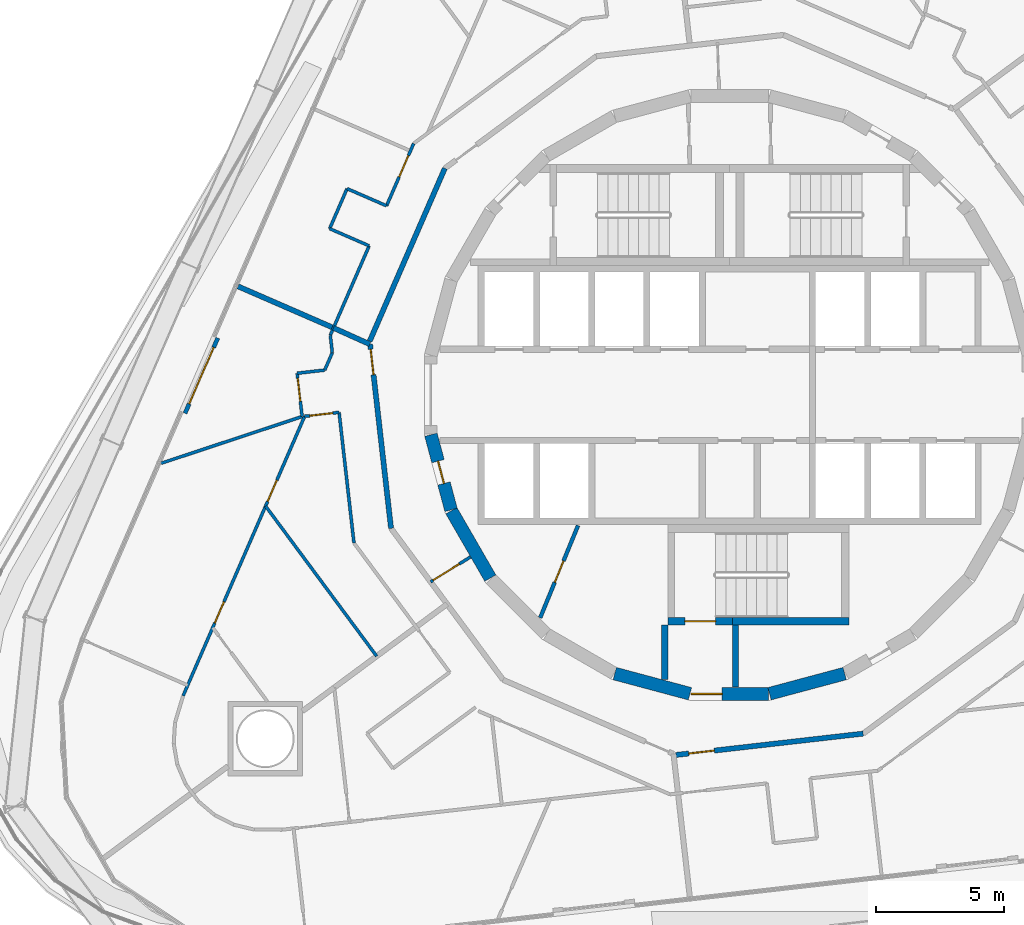
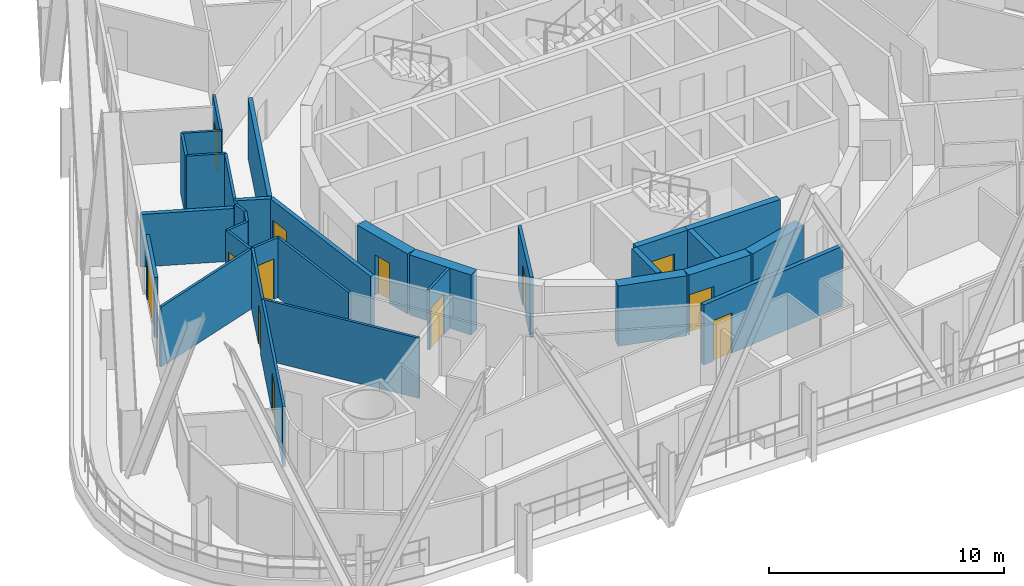
# One storey, part 17 of 32: 31 walls, 13 doors, 13 openings.
"""IFC4 building model written with IfcOpenShell, lengths in metres."""

from ifc_helpers import new_model, si_unit, direction, frame, frame_2d, origin, place, context, subcontext, project, spatial, rectangle, extrude, material, layer, layer_set, type_object, element, fill, save


model = new_model("IFC4")

# Units and contexts
model_context = context("Model", 3, precision=1e-05, world=origin(), true_north=direction((0.0, 1.0)))
body_context = subcontext(model_context, "Body", "Model", "MODEL_VIEW")
ifc_project = project(units=[si_unit("LENGTHUNIT", "METRE"), si_unit("AREAUNIT", "SQUARE_METRE"), si_unit("VOLUMEUNIT", "CUBIC_METRE"), si_unit("PLANEANGLEUNIT", "RADIAN"), si_unit("MASSUNIT", "GRAM", prefix="KILO")], contexts=[model_context])

# Site, building, storey
site_placement = place(None, origin())
site = spatial("IfcSite", under=ifc_project, at=site_placement, CompositionType="ELEMENT")
building_placement = place(site_placement, origin())
building = spatial("IfcBuilding", under=site, at=building_placement, Name="Spindle Arch Residences", CompositionType="ELEMENT")
storey_placement = place(building_placement, frame((0.0, 0.0, 76.699951171875)))
storey = spatial("IfcBuildingStorey", under=building, at=storey_placement, Name="L17", CompositionType="ELEMENT", Elevation=76.699951171875)

# Wall
ifc_material_1 = material(Name="Concrete C50/60", Category="concrete")
ifc_layer_1 = layer(ifc_material_1, 0.5)
ifc_layer_set_1 = layer_set([ifc_layer_1], Name="Core outline wall 500")
wall_type_1 = type_object("IfcWallType", Name="Core outline wall 500", PredefinedType="SHEAR", material=ifc_layer_set_1)
wall_1_placement = place(storey_placement, frame((1.5498046875, -11.642822265625, 0.0), z_axis=(0.0, 0.0, 1.0), x_axis=(0.965948410781, 0.258734743916, 0.0)))
element("IfcWall", 1, at=wall_1_placement, inside=storey, type_object=wall_type_1, Name="Core outline wall 1", PredefinedType="SHEAR", context=body_context, shape_type="SweptSolid", body=[
    extrude(rectangle(XDim=3.03271484375, YDim=0.5, at=frame_2d((1.516357421875, 0.0))), origin(), (0.0, 0.0, 1.0), 3.1201171875),
])

# Wall, opening, door
wall_2_placement = place(storey_placement, frame((-11.642822265625, -1.5498046875, 0.0), z_axis=(0.0, 0.0, 1.0), x_axis=(0.258734743916, -0.965948410781, 0.0)))
wall_2 = element("IfcWall", 2, at=wall_2_placement, inside=storey, type_object=wall_type_1, Name="Core outline wall 19", PredefinedType="SHEAR", context=body_context, shape_type="SweptSolid", body=[
    extrude(rectangle(XDim=3.03271484375, YDim=0.5, at=frame_2d((1.516357421875, 0.0))), origin(), (0.0, 0.0, 1.0), 3.1201171875),
])
opening_1_placement = place(wall_2_placement, frame((1.06640625, 0.0, 0.0)))
opening_1 = element("IfcOpeningElement", 3, at=opening_1_placement, cuts=wall_2, Name="Opening R2A0-WD10", PredefinedType="OPENING", context=body_context, shape_type="SweptSolid", body=[
    extrude(rectangle(XDim=0.89990234375, YDim=2.10009765625, at=frame_2d((0.449951171875, 1.050048828125))), frame((0.0, 0.260009765625, 0.0), z_axis=(0.0, -1.0, 0.0), x_axis=(1.0, 0.0, 0.0)), (0.0, 0.0, 1.0), 0.52001953125),
])
ifc_material_2 = material(Name="Steel, fire-resisting door", Category="steel")
door_type_1 = type_object("IfcDoorType", Name="Service room door 900x2100", OperationType="SINGLE_SWING_LEFT", PredefinedType="DOOR", material=ifc_material_2)
door_1_placement = place(opening_1_placement, origin())
door_1 = element("IfcDoor", 4, at=door_1_placement, inside=storey, type_object=door_type_1, Name="Service room door R2A0-WD10", OperationType="SINGLE_SWING_LEFT", OverallHeight=2.10009765625, OverallWidth=0.89990234375, PredefinedType="DOOR", context=body_context, shape_type="SweptSolid", body=[
    extrude(rectangle(XDim=0.89990234375, YDim=2.10009765625, at=frame_2d((0.449951171875, 1.050048828125))), frame((0.0, 0.02490234375, 0.0), z_axis=(0.0, -1.0, 0.0), x_axis=(1.0, 0.0, 0.0)), (0.0, 0.0, 1.0), 0.050048828125),
])
fill(opening_1, door_1)

# Walls
for number, where, z_axis, x_axis, name in (
    (5, (-10.84521484375, -4.510498046875, 0.0), (0.0, 0.0, 1.0), (0.500087131594, -0.865975092491, 0.0), "Core outline wall 20"),
    (6, (-4.479248046875, -10.858154296875, 0.0), (0.0, 0.0, 1.0), (0.965948410781, -0.258734743916, 0.0), "Core outline wall 23"),
):
    element("IfcWall", number, at=place(storey_placement, frame(where, z_axis=z_axis, x_axis=x_axis)), inside=storey, type_object=wall_type_1, Name=name, PredefinedType="SHEAR", context=body_context, shape_type="SweptSolid", body=[
        extrude(rectangle(XDim=3.03271484375, YDim=0.5, at=frame_2d((1.516357421875, 0.0))), origin(), (0.0, 0.0, 1.0), 3.1201171875),
    ])

# Wall, opening, door
wall_3_placement = place(storey_placement, frame((-1.516357421875, -11.647216796875, 0.0), z_axis=(0.0, 0.0, 1.0), x_axis=(1.0, 0.0, 0.0)))
wall_3 = element("IfcWall", 7, at=wall_3_placement, inside=storey, type_object=wall_type_1, Name="Core outline wall 24", PredefinedType="SHEAR", context=body_context, shape_type="SweptSolid", body=[
    extrude(rectangle(XDim=3.03271484375, YDim=0.5, at=frame_2d((1.516357421875, 0.0))), origin(), (0.0, 0.0, 1.0), 3.1201171875),
])
opening_2_placement = place(wall_3_placement, frame((0.016357421875, 0.0, 0.0)))
opening_2 = element("IfcOpeningElement", 8, at=opening_2_placement, cuts=wall_3, Name="Opening R2A0-AD03", PredefinedType="OPENING", context=body_context, shape_type="SweptSolid", body=[
    extrude(rectangle(XDim=1.199951171875, YDim=2.10009765625, at=frame_2d((0.60009765625, 1.050048828125))), frame((0.0, 0.260009765625, 0.0), z_axis=(0.0, -1.0, 0.0), x_axis=(1.0, 0.0, 0.0)), (0.0, 0.0, 1.0), 0.52001953125),
])
ifc_material_3 = material(Name="Steel, fire-resisting door", Category="steel")
door_type_2 = type_object("IfcDoorType", Name="Stair airlock door 1200x2100", OperationType="SINGLE_SWING_LEFT", PredefinedType="DOOR", material=ifc_material_3)
door_2_placement = place(opening_2_placement, origin())
door_2 = element("IfcDoor", 9, at=door_2_placement, inside=storey, type_object=door_type_2, Name="Stair airlock door R2A0-AD03", OperationType="SINGLE_SWING_RIGHT", OverallHeight=2.10009765625, OverallWidth=1.199951171875, PredefinedType="DOOR", context=body_context, shape_type="SweptSolid", body=[
    extrude(rectangle(XDim=1.199951171875, YDim=2.10009765625, at=frame_2d((0.60009765625, 1.050048828125))), frame((0.0, 0.02490234375, 0.0), z_axis=(0.0, -1.0, 0.0), x_axis=(1.0, 0.0, 0.0)), (0.0, 0.0, 1.0), 0.050048828125),
])
fill(opening_2, door_2)

ifc_material_4 = material(Name="Plasterboard on steel studs", Category="steel")
ifc_layer_2 = layer(ifc_material_4, 0.1201171875)
ifc_layer_set_2 = layer_set([ifc_layer_2], Name="Corridor division wall 120")
wall_type_2 = type_object("IfcWallType", Name="Corridor division wall 120", PredefinedType="PARTITIONING", material=ifc_layer_set_2)
wall_4_placement = place(storey_placement, frame((-11.654296875, -7.2822265625, 0.0), z_axis=(0.0, 0.0, 1.0), x_axis=(0.848117698675, 0.529807860638, 0.0)))
wall_4 = element("IfcWall", 10, at=wall_4_placement, inside=storey, type_object=wall_type_2, Name="Corridor division wall R2A0-W003", PredefinedType="PARTITIONING", context=body_context, shape_type="SweptSolid", body=[
    extrude(rectangle(XDim=1.837646484375, YDim=0.1201171875, at=frame_2d((0.9189453125, 0.0))), origin(), (0.0, 0.0, 1.0), 3.1201171875),
])
opening_3_placement = place(wall_4_placement, frame((0.114990234375, 0.0, 0.0)))
opening_3 = element("IfcOpeningElement", 11, at=opening_3_placement, cuts=wall_4, Name="Opening R2A0-CD03", PredefinedType="OPENING", context=body_context, shape_type="SweptSolid", body=[
    extrude(rectangle(XDim=1.199951171875, YDim=2.10009765625, at=frame_2d((0.60009765625, 1.050048828125))), frame((0.0, 0.070068359375, 0.0), z_axis=(0.0, -1.0, 0.0), x_axis=(1.0, 0.0, 0.0)), (0.0, 0.0, 1.0), 0.14013671875),
])
ifc_material_5 = material(Name="Steel, fire-resisting door", Category="steel")
door_type_3 = type_object("IfcDoorType", Name="Corridor division door 1200x2100", OperationType="NOTDEFINED", PredefinedType="DOOR", material=ifc_material_5)
door_3_placement = place(opening_3_placement, origin())
door_3 = element("IfcDoor", 12, at=door_3_placement, inside=storey, type_object=door_type_3, Name="Corridor division door R2A0-CD03", OperationType="DOUBLE_DOOR_SINGLE_SWING", OverallHeight=2.10009765625, OverallWidth=1.199951171875, PredefinedType="DOOR", context=body_context, shape_type="SweptSolid", body=[
    extrude(rectangle(XDim=1.199951171875, YDim=2.10009765625, at=frame_2d((0.60009765625, 1.050048828125))), frame((0.0, 0.02490234375, 0.0), z_axis=(0.0, -1.0, 0.0), x_axis=(1.0, 0.0, 0.0)), (0.0, 0.0, 1.0), 0.050048828125),
])
fill(opening_3, door_3)

# Wall
ifc_material_6 = material(Name="Calcium silicate block, plastered")
ifc_layer_3 = layer(ifc_material_6, 0.199951171875)
ifc_layer_set_3 = layer_set([ifc_layer_3], Name="Corridor wall 200")
wall_type_3 = type_object("IfcWallType", Name="Corridor wall 200", PredefinedType="STANDARD", material=ifc_layer_set_3)
wall_5_placement = place(storey_placement, frame((-11.10009765625, 8.829345703125, 0.0), z_axis=(0.0, 0.0, 1.0), x_axis=(-0.398741918631, -0.917063183388, 0.0)))
element("IfcWall", 13, at=wall_5_placement, inside=storey, type_object=wall_type_3, Name="Corridor wall R2A0-W010", PredefinedType="STANDARD", context=body_context, shape_type="SweptSolid", body=[
    extrude(rectangle(XDim=7.341796875, YDim=0.199951171875, at=frame_2d((3.6708984375, 0.0))), origin(), (0.0, 0.0, 1.0), 3.1201171875),
])

# Wall, opening, door
wall_6_placement = place(storey_placement, frame((-14.013427734375, 1.97412109375, 0.0), z_axis=(0.0, 0.0, 1.0), x_axis=(0.113196526349, -0.993572617589, 0.0)))
wall_6 = element("IfcWall", 14, at=wall_6_placement, inside=storey, type_object=wall_type_3, Name="Corridor wall R2A0-W011", PredefinedType="STANDARD", context=body_context, shape_type="SweptSolid", body=[
    extrude(rectangle(XDim=7.21875, YDim=0.199951171875, at=frame_2d((3.609375, 0.0))), origin(), (0.0, 0.0, 1.0), 3.1201171875),
])
opening_4_placement = place(wall_6_placement, frame((0.199951171875, 0.0, 0.0)))
opening_4 = element("IfcOpeningElement", 15, at=opening_4_placement, cuts=wall_6, Name="Opening R2A0-FD04", PredefinedType="OPENING", context=body_context, shape_type="SweptSolid", body=[
    extrude(rectangle(XDim=1.0, YDim=2.10009765625, at=frame_2d((0.5, 1.050048828125))), frame((0.0, 0.10986328125, 0.0), z_axis=(0.0, -1.0, 0.0), x_axis=(1.0, 0.0, 0.0)), (0.0, 0.0, 1.0), 0.219970703125),
])
ifc_material_7 = material(Name="Timber, fire-resisting door set", Category="wood")
door_type_4 = type_object("IfcDoorType", Name="Flat entrance door 1000x2100", OperationType="NOTDEFINED", PredefinedType="DOOR", material=ifc_material_7)
door_4_placement = place(opening_4_placement, origin())
door_4 = element("IfcDoor", 16, at=door_4_placement, inside=storey, type_object=door_type_4, Name="Flat entrance door R2A0-FD04", OperationType="SINGLE_SWING_RIGHT", OverallHeight=2.10009765625, OverallWidth=1.0, PredefinedType="DOOR", context=body_context, shape_type="SweptSolid", body=[
    extrude(rectangle(XDim=1.0, YDim=2.10009765625, at=frame_2d((0.5, 1.050048828125))), frame((0.0, 0.02490234375, 0.0), z_axis=(0.0, -1.0, 0.0), x_axis=(1.0, 0.0, 0.0)), (0.0, 0.0, 1.0), 0.050048828125),
])
fill(opening_4, door_4)

wall_7_placement = place(storey_placement, frame((-2.096435546875, -14.027587890625, 0.0), z_axis=(0.0, 0.0, 1.0), x_axis=(0.993569170114, 0.113226782163, 0.0)))
wall_7 = element("IfcWall", 17, at=wall_7_placement, inside=storey, type_object=wall_type_3, Name="Corridor wall R2A0-W014", PredefinedType="STANDARD", context=body_context, shape_type="SweptSolid", body=[
    extrude(rectangle(XDim=7.341796875, YDim=0.199951171875, at=frame_2d((3.6708984375, 0.0))), origin(), (0.0, 0.0, 1.0), 3.1201171875),
])
opening_5_placement = place(wall_7_placement, frame((0.5, 0.0, 0.0)))
opening_5 = element("IfcOpeningElement", 18, at=opening_5_placement, cuts=wall_7, Name="Opening R2A0-FD06", PredefinedType="OPENING", context=body_context, shape_type="SweptSolid", body=[
    extrude(rectangle(XDim=1.0, YDim=2.10009765625, at=frame_2d((0.5, 1.050048828125))), frame((0.0, 0.10986328125, 0.0), z_axis=(0.0, -1.0, 0.0), x_axis=(1.0, 0.0, 0.0)), (0.0, 0.0, 1.0), 0.219970703125),
])
door_5_placement = place(opening_5_placement, origin())
door_5 = element("IfcDoor", 19, at=door_5_placement, inside=storey, type_object=door_type_4, Name="Flat entrance door R2A0-FD06", OperationType="SINGLE_SWING_LEFT", OverallHeight=2.10009765625, OverallWidth=1.0, PredefinedType="DOOR", context=body_context, shape_type="SweptSolid", body=[
    extrude(rectangle(XDim=1.0, YDim=2.10009765625, at=frame_2d((0.5, 1.050048828125))), frame((0.0, 0.02490234375, 0.0), z_axis=(0.0, -1.0, 0.0), x_axis=(1.0, 0.0, 0.0)), (0.0, 0.0, 1.0), 0.050048828125),
])
fill(opening_5, door_5)

ifc_material_8 = material(Name="Plasterboard on steel studs", Category="steel")
ifc_layer_4 = layer(ifc_material_8, 0.1201171875)
ifc_layer_set_4 = layer_set([ifc_layer_4], Name="Flat partition 120")
wall_type_4 = type_object("IfcWallType", Name="Flat partition 120", PredefinedType="PARTITIONING", material=ifc_layer_set_4)
wall_8_placement = place(storey_placement, frame((-12.315185546875, 9.7958984375, 0.0), z_axis=(0.0, 0.0, 1.0), x_axis=(-0.398790200406, -0.917042188812, 0.0)))
wall_8 = element("IfcWall", 20, at=wall_8_placement, inside=storey, type_object=wall_type_4, Name="Flat partition R2A0-W068", PredefinedType="PARTITIONING", context=body_context, shape_type="SweptSolid", body=[
    extrude(rectangle(XDim=2.646484375, YDim=0.1201171875, at=frame_2d((1.3232421875, 0.0))), origin(), (0.0, 0.0, 1.0), 3.1201171875),
])
opening_6_placement = place(wall_8_placement, frame((0.513427734375, 0.0, 0.0)))
opening_6 = element("IfcOpeningElement", 21, at=opening_6_placement, cuts=wall_8, Name="Opening R2A0-ID13", PredefinedType="OPENING", context=body_context, shape_type="SweptSolid", body=[
    extrude(rectangle(XDim=0.89990234375, YDim=2.10009765625, at=frame_2d((0.449951171875, 1.050048828125))), frame((0.0, 0.070068359375, 0.0), z_axis=(0.0, -1.0, 0.0), x_axis=(1.0, 0.0, 0.0)), (0.0, 0.0, 1.0), 0.14013671875),
])
ifc_material_9 = material(Name="Timber door set", Category="wood")
door_type_5 = type_object("IfcDoorType", Name="Room door 900x2100", OperationType="NOTDEFINED", PredefinedType="DOOR", material=ifc_material_9)
door_6_placement = place(opening_6_placement, origin())
door_6 = element("IfcDoor", 22, at=door_6_placement, inside=storey, type_object=door_type_5, Name="Room door R2A0-ID13", OperationType="SINGLE_SWING_LEFT", OverallHeight=2.10009765625, OverallWidth=0.89990234375, PredefinedType="DOOR", context=body_context, shape_type="SweptSolid", body=[
    extrude(rectangle(XDim=0.89990234375, YDim=2.10009765625, at=frame_2d((0.449951171875, 1.050048828125))), frame((0.0, 0.02490234375, 0.0), z_axis=(0.0, -1.0, 0.0), x_axis=(1.0, 0.0, 0.0)), (0.0, 0.0, 1.0), 0.050048828125),
])
fill(opening_6, door_6)

# Walls
wall_9_placement = place(storey_placement, frame((-13.37060546875, 7.368896484375, 0.0), z_axis=(0.0, 0.0, 1.0), x_axis=(-0.917109358393, 0.398635704306, 0.0)))
element("IfcWall", 23, at=wall_9_placement, inside=storey, type_object=wall_type_4, Name="Flat partition R2A0-W069", PredefinedType="PARTITIONING", context=body_context, shape_type="SweptSolid", body=[
    extrude(rectangle(XDim=1.6787109375, YDim=0.1201171875, at=frame_2d((0.83935546875, 0.0))), origin(), (0.0, 0.0, 1.0), 3.1201171875),
])
wall_10_placement = place(storey_placement, frame((-14.91015625, 8.0380859375, 0.0), z_axis=(0.0, 0.0, 1.0), x_axis=(-0.398715607479, -0.91707462311, 0.0)))
element("IfcWall", 24, at=wall_10_placement, inside=storey, type_object=wall_type_4, Name="Flat partition R2A0-W070", PredefinedType="PARTITIONING", context=body_context, shape_type="SweptSolid", body=[
    extrude(rectangle(XDim=1.69970703125, YDim=0.1201171875, at=frame_2d((0.849853515625, 0.0))), origin(), (0.0, 0.0, 1.0), 3.1201171875),
])
wall_11_placement = place(storey_placement, frame((-15.587890625, 6.479248046875, 0.0), z_axis=(0.0, 0.0, 1.0), x_axis=(0.917033055073, -0.398811203332, 0.0)))
element("IfcWall", 25, at=wall_11_placement, inside=storey, type_object=wall_type_4, Name="Flat partition R2A0-W071", PredefinedType="PARTITIONING", context=body_context, shape_type="SweptSolid", body=[
    extrude(rectangle(XDim=1.678466796875, YDim=0.1201171875, at=frame_2d((0.83935546875, 0.0))), origin(), (0.0, 0.0, 1.0), 3.1201171875),
])
wall_12_placement = place(storey_placement, frame((-14.048583984375, 5.809814453125, 0.0), z_axis=(0.0, 0.0, 1.0), x_axis=(-0.398707311688, -0.917078229818, 0.0)))
element("IfcWall", 26, at=wall_12_placement, inside=storey, type_object=wall_type_4, Name="Flat partition R2A0-W072", PredefinedType="PARTITIONING", context=body_context, shape_type="SweptSolid", body=[
    extrude(rectangle(XDim=3.798828125, YDim=0.1201171875, at=frame_2d((1.8994140625, 0.0))), origin(), (0.0, 0.0, 1.0), 3.1201171875),
])
wall_13_placement = place(storey_placement, frame((-15.563232421875, 2.325927734375, 0.0), z_axis=(0.0, 0.0, 1.0), x_axis=(0.113013677091, -0.993593432341, 0.0)))
element("IfcWall", 27, at=wall_13_placement, inside=storey, type_object=wall_type_4, Name="Flat partition R2A0-W083", PredefinedType="PARTITIONING", context=body_context, shape_type="SweptSolid", body=[
    extrude(rectangle(XDim=0.684814453125, YDim=0.1201171875, at=frame_2d((0.34228515625, 0.0))), origin(), (0.0, 0.0, 1.0), 3.1201171875),
])
wall_14_placement = place(storey_placement, frame((-15.48583984375, 1.6455078125, 0.0), z_axis=(0.0, 0.0, 1.0), x_axis=(-0.398701933952, -0.917080567814, 0.0)))
element("IfcWall", 28, at=wall_14_placement, inside=storey, type_object=wall_type_4, Name="Flat partition R2A0-W084", PredefinedType="PARTITIONING", context=body_context, shape_type="SweptSolid", body=[
    extrude(rectangle(XDim=0.738525390625, YDim=0.1201171875, at=frame_2d((0.369140625, 0.0))), origin(), (0.0, 0.0, 1.0), 3.1201171875),
])
wall_15_placement = place(storey_placement, frame((-15.7802734375, 0.96826171875, 0.0), z_axis=(0.0, 0.0, 1.0), x_axis=(-0.99355448905, -0.113355534887, 0.0)))
element("IfcWall", 29, at=wall_15_placement, inside=storey, type_object=wall_type_4, Name="Flat partition R2A0-W085", PredefinedType="PARTITIONING", context=body_context, shape_type="SweptSolid", body=[
    extrude(rectangle(XDim=1.081298828125, YDim=0.1201171875, at=frame_2d((0.54052734375, 0.0))), origin(), (0.0, 0.0, 1.0), 3.1201171875),
])

# Wall, opening, door
wall_16_placement = place(storey_placement, frame((-16.8544921875, 0.845703125, 0.0), z_axis=(0.0, 0.0, 1.0), x_axis=(0.113173930474, -0.993575191649, 0.0)))
wall_16 = element("IfcWall", 30, at=wall_16_placement, inside=storey, type_object=wall_type_4, Name="Flat partition R2A0-W086", PredefinedType="PARTITIONING", context=body_context, shape_type="SweptSolid", body=[
    extrude(rectangle(XDim=1.699951171875, YDim=0.1201171875, at=frame_2d((0.85009765625, 0.0))), origin(), (0.0, 0.0, 1.0), 3.1201171875),
])
opening_7_placement = place(wall_16_placement, frame((0.199951171875, 0.0, 0.0)))
opening_7 = element("IfcOpeningElement", 31, at=opening_7_placement, cuts=wall_16, Name="Opening R2A0-ID18", PredefinedType="OPENING", context=body_context, shape_type="SweptSolid", body=[
    extrude(rectangle(XDim=0.89990234375, YDim=2.10009765625, at=frame_2d((0.449951171875, 1.050048828125))), frame((0.0, 0.070068359375, 0.0), z_axis=(0.0, -1.0, 0.0), x_axis=(1.0, 0.0, 0.0)), (0.0, 0.0, 1.0), 0.14013671875),
])
door_7_placement = place(opening_7_placement, origin())
door_7 = element("IfcDoor", 32, at=door_7_placement, inside=storey, type_object=door_type_5, Name="Room door R2A0-ID18", OperationType="SINGLE_SWING_RIGHT", OverallHeight=2.10009765625, OverallWidth=0.89990234375, PredefinedType="DOOR", context=body_context, shape_type="SweptSolid", body=[
    extrude(rectangle(XDim=0.89990234375, YDim=2.10009765625, at=frame_2d((0.449951171875, 1.050048828125))), frame((0.0, 0.02490234375, 0.0), z_axis=(0.0, -1.0, 0.0), x_axis=(1.0, 0.0, 0.0)), (0.0, 0.0, 1.0), 0.050048828125),
])
fill(opening_7, door_7)

wall_17_placement = place(storey_placement, frame((-16.56298828125, -0.831787109375, 0.0), z_axis=(0.0, 0.0, 1.0), x_axis=(0.993578035261, 0.113148963084, 0.0)))
wall_17 = element("IfcWall", 33, at=wall_17_placement, inside=storey, type_object=wall_type_4, Name="Flat partition R2A0-W087", PredefinedType="PARTITIONING", context=body_context, shape_type="SweptSolid", body=[
    extrude(rectangle(XDim=1.350830078125, YDim=0.1201171875, at=frame_2d((0.67529296875, 0.0))), origin(), (0.0, 0.0, 1.0), 3.1201171875),
])
opening_8_placement = place(wall_17_placement, frame((0.199951171875, 0.0, 0.0)))
opening_8 = element("IfcOpeningElement", 34, at=opening_8_placement, cuts=wall_17, Name="Opening R2A0-ID19", PredefinedType="OPENING", context=body_context, shape_type="SweptSolid", body=[
    extrude(rectangle(XDim=0.89990234375, YDim=2.10009765625, at=frame_2d((0.449951171875, 1.050048828125))), frame((0.0, 0.070068359375, 0.0), z_axis=(0.0, -1.0, 0.0), x_axis=(1.0, 0.0, 0.0)), (0.0, 0.0, 1.0), 0.14013671875),
])
door_8_placement = place(opening_8_placement, origin())
door_8 = element("IfcDoor", 35, at=door_8_placement, inside=storey, type_object=door_type_5, Name="Room door R2A0-ID19", OperationType="SINGLE_SWING_LEFT", OverallHeight=2.10009765625, OverallWidth=0.89990234375, PredefinedType="DOOR", context=body_context, shape_type="SweptSolid", body=[
    extrude(rectangle(XDim=0.89990234375, YDim=2.10009765625, at=frame_2d((0.449951171875, 1.050048828125))), frame((0.0, 0.02490234375, 0.0), z_axis=(0.0, -1.0, 0.0), x_axis=(1.0, 0.0, 0.0)), (0.0, 0.0, 1.0), 0.050048828125),
])
fill(opening_8, door_8)

# Walls
wall_18_placement = place(storey_placement, frame((-15.220947265625, -0.678955078125, 0.0), z_axis=(0.0, 0.0, 1.0), x_axis=(0.113219875647, -0.993569957154, 0.0)))
element("IfcWall", 36, at=wall_18_placement, inside=storey, type_object=wall_type_4, Name="Flat partition R2A0-W088", PredefinedType="PARTITIONING", context=body_context, shape_type="SweptSolid", body=[
    extrude(rectangle(XDim=5.121337890625, YDim=0.1201171875, at=frame_2d((2.560546875, 0.0))), origin(), (0.0, 0.0, 1.0), 3.1201171875),
])
wall_19_placement = place(storey_placement, frame((-22.157470703125, -2.663818359375, 0.0), z_axis=(0.0, 0.0, 1.0), x_axis=(0.949263673698, 0.314481283698, 0.0)))
element("IfcWall", 37, at=wall_19_placement, inside=storey, type_object=wall_type_4, Name="Flat partition R2A0-W090", PredefinedType="PARTITIONING", context=body_context, shape_type="SweptSolid", body=[
    extrude(rectangle(XDim=5.7890625, YDim=0.1201171875, at=frame_2d((2.89453125, 0.0))), origin(), (0.0, 0.0, 1.0), 3.1201171875),
])

# Wall, openings, doors
wall_20_placement = place(storey_placement, frame((-21.298095703125, -11.72216796875, 0.0), z_axis=(0.0, 0.0, 1.0), x_axis=(0.398737387658, 0.917065153456, 0.0)))
wall_20 = element("IfcWall", 38, at=wall_20_placement, inside=storey, type_object=wall_type_4, Name="Flat partition R2A0-W091", PredefinedType="PARTITIONING", context=body_context, shape_type="SweptSolid", body=[
    extrude(rectangle(XDim=11.875244140625, YDim=0.1201171875, at=frame_2d((5.9375, 0.0))), origin(), (0.0, 0.0, 1.0), 3.1201171875),
])
opening_9_placement = place(wall_20_placement, frame((8.259765625, 0.0, 0.0)))
opening_9 = element("IfcOpeningElement", 39, at=opening_9_placement, cuts=wall_20, Name="Opening R2A0-ID20", PredefinedType="OPENING", context=body_context, shape_type="SweptSolid", body=[
    extrude(rectangle(XDim=0.89990234375, YDim=2.10009765625, at=frame_2d((0.449951171875, 1.050048828125))), frame((0.0, 0.070068359375, 0.0), z_axis=(0.0, -1.0, 0.0), x_axis=(1.0, 0.0, 0.0)), (0.0, 0.0, 1.0), 0.14013671875),
])
opening_10_placement = place(wall_20_placement, frame((3.09375, 0.0, 0.0)))
opening_10 = element("IfcOpeningElement", 40, at=opening_10_placement, cuts=wall_20, Name="Opening R2A0-ID21", PredefinedType="OPENING", context=body_context, shape_type="SweptSolid", body=[
    extrude(rectangle(XDim=0.89990234375, YDim=2.10009765625, at=frame_2d((0.449951171875, 1.050048828125))), frame((0.0, 0.070068359375, 0.0), z_axis=(0.0, -1.0, 0.0), x_axis=(1.0, 0.0, 0.0)), (0.0, 0.0, 1.0), 0.14013671875),
])
door_9_placement = place(opening_9_placement, origin())
door_9 = element("IfcDoor", 41, at=door_9_placement, inside=storey, type_object=door_type_5, Name="Room door R2A0-ID20", OperationType="SINGLE_SWING_RIGHT", OverallHeight=2.10009765625, OverallWidth=0.89990234375, PredefinedType="DOOR", context=body_context, shape_type="SweptSolid", body=[
    extrude(rectangle(XDim=0.89990234375, YDim=2.10009765625, at=frame_2d((0.449951171875, 1.050048828125))), frame((0.0, 0.02490234375, 0.0), z_axis=(0.0, -1.0, 0.0), x_axis=(1.0, 0.0, 0.0)), (0.0, 0.0, 1.0), 0.050048828125),
])
fill(opening_9, door_9)
door_10_placement = place(opening_10_placement, origin())
door_10 = element("IfcDoor", 42, at=door_10_placement, inside=storey, type_object=door_type_5, Name="Room door R2A0-ID21", OperationType="SINGLE_SWING_LEFT", OverallHeight=2.10009765625, OverallWidth=0.89990234375, PredefinedType="DOOR", context=body_context, shape_type="SweptSolid", body=[
    extrude(rectangle(XDim=0.89990234375, YDim=2.10009765625, at=frame_2d((0.449951171875, 1.050048828125))), frame((0.0, 0.02490234375, 0.0), z_axis=(0.0, -1.0, 0.0), x_axis=(1.0, 0.0, 0.0)), (0.0, 0.0, 1.0), 0.050048828125),
])
fill(opening_10, door_10)

# Walls
wall_21_placement = place(storey_placement, frame((-18.084228515625, -4.330810546875, 0.0), z_axis=(0.0, 0.0, 1.0), x_axis=(0.594811782108, -0.803865003508, 0.0)))
element("IfcWall", 43, at=wall_21_placement, inside=storey, type_object=wall_type_4, Name="Flat partition R2A0-W093", PredefinedType="PARTITIONING", context=body_context, shape_type="SweptSolid", body=[
    extrude(rectangle(XDim=7.275634765625, YDim=0.1201171875, at=frame_2d((3.6376953125, 0.0))), origin(), (0.0, 0.0, 1.0), 3.1201171875),
])
ifc_material_10 = material(Name="Calcium silicate block, plastered")
ifc_layer_5 = layer(ifc_material_10, 0.199951171875)
ifc_layer_set_5 = layer_set([ifc_layer_5], Name="Flat party wall 200")
wall_type_5 = type_object("IfcWallType", Name="Flat party wall 200", PredefinedType="STANDARD", material=ifc_layer_set_5)
wall_22_placement = place(storey_placement, frame((-15.438720703125, 2.612548828125, 0.0), z_axis=(0.0, 0.0, 1.0), x_axis=(0.911830308819, -0.410567275752, 0.0)))
element("IfcWall", 44, at=wall_22_placement, inside=storey, type_object=wall_type_5, Name="Flat party wall R2A0-W022", PredefinedType="STANDARD", context=body_context, shape_type="SweptSolid", body=[
    extrude(rectangle(XDim=1.55322265625, YDim=0.199951171875, at=frame_2d((0.776611328125, 0.0))), origin(), (0.0, 0.0, 1.0), 3.1201171875),
])
ifc_material_11 = material(Name="Calcium silicate block, plastered")
ifc_layer_6 = layer(ifc_material_11, 0.199951171875)
ifc_layer_set_6 = layer_set([ifc_layer_6], Name="Flat party wall 200 under beam 2730")
wall_type_6 = type_object("IfcWallType", Name="Flat party wall 200 under beam 2730", PredefinedType="STANDARD", material=ifc_layer_set_6)
wall_23_placement = place(storey_placement, frame((-19.1591796875, 4.231201171875, 0.0), z_axis=(0.0, 0.0, 1.0), x_axis=(0.91704996524, -0.398772317562, 0.0)))
element("IfcWall", 45, at=wall_23_placement, inside=storey, type_object=wall_type_6, Name="Flat party wall R2A0-W023", PredefinedType="STANDARD", context=body_context, shape_type="SweptSolid", body=[
    extrude(rectangle(XDim=4.057373046875, YDim=0.199951171875, at=frame_2d((2.02880859375, 0.0))), origin(), (0.0, 0.0, 1.0), 2.72998046875),
])

# Wall, opening, door
ifc_material_12 = material(Name="Non-combustible mineral wool insulated aluminium faced external wall (K0)", Category="aluminium")
ifc_layer_7 = layer(ifc_material_12, 0.159912109375)
ifc_layer_set_7 = layer_set([ifc_layer_7], Name="Insulated external wall panel 160")
wall_type_7 = type_object("IfcWallType", Name="Insulated external wall panel 160", PredefinedType="STANDARD", material=ifc_layer_set_7)
wall_24_placement = place(storey_placement, frame((-19.947021484375, 2.218994140625, 0.0), z_axis=(0.0, 0.0, 1.0), x_axis=(-0.398784695066, -0.917044582876, 0.0)))
wall_24 = element("IfcWall", 46, at=wall_24_placement, inside=storey, type_object=wall_type_7, Name="External wall L17 bay 17", PredefinedType="STANDARD", context=body_context, shape_type="SweptSolid", body=[
    extrude(rectangle(XDim=3.199951171875, YDim=0.159912109375, at=frame_2d((1.60009765625, 0.0))), origin(), (0.0, 0.0, 1.0), 3.1201171875),
])
opening_11_placement = place(wall_24_placement, frame((0.39990234375, 0.0, 0.0)))
opening_11 = element("IfcOpeningElement", 47, at=opening_11_placement, cuts=wall_24, Name="Opening BD17", PredefinedType="OPENING", context=body_context, shape_type="SweptSolid", body=[
    extrude(rectangle(XDim=2.39990234375, YDim=2.39990234375, at=frame_2d((1.199951171875, 1.199951171875))), frame((0.0, 0.08984375, 0.0), z_axis=(0.0, -1.0, 0.0), x_axis=(1.0, 0.0, 0.0)), (0.0, 0.0, 1.0), 0.179931640625),
])
ifc_material_13 = material(Name="Bronze aluminium frame, tinted double glazing", Category="aluminium")
door_type_6 = type_object("IfcDoorType", Name="Sliding glazed balcony door 2400x2400", OperationType="DOUBLE_DOOR_SLIDING", PredefinedType="DOOR", material=ifc_material_13)
door_11_placement = place(opening_11_placement, origin())
door_11 = element("IfcDoor", 48, at=door_11_placement, inside=storey, type_object=door_type_6, Name="Balcony door BD17", OperationType="DOUBLE_DOOR_SLIDING", OverallHeight=2.39990234375, OverallWidth=2.39990234375, PredefinedType="DOOR", context=body_context, shape_type="SweptSolid", body=[
    extrude(rectangle(XDim=2.39990234375, YDim=2.39990234375, at=frame_2d((1.199951171875, 1.199951171875))), frame((0.0, 0.02490234375, 0.0), z_axis=(0.0, -1.0, 0.0), x_axis=(1.0, 0.0, 0.0)), (0.0, 0.0, 1.0), 0.050048828125),
])
fill(opening_11, door_11)

ifc_material_14 = material(Name="Concrete C25/30", Category="concrete")
ifc_layer_8 = layer(ifc_material_14, 0.14990234375)
ifc_layer_set_8 = layer_set([ifc_layer_8], Name="Service room partition 150")
wall_type_8 = type_object("IfcWallType", Name="Service room partition 150", PredefinedType="PARTITIONING", material=ifc_layer_set_8)
wall_25_placement = place(storey_placement, frame((-7.385009765625, -8.680908203125, 0.0), z_axis=(0.0, 0.0, 1.0), x_axis=(0.379804590409, 0.925066739811, 0.0)))
wall_25 = element("IfcWall", 49, at=wall_25_placement, inside=storey, type_object=wall_type_8, Name="Core service room partition", PredefinedType="PARTITIONING", context=body_context, shape_type="SweptSolid", body=[
    extrude(rectangle(XDim=3.885009765625, YDim=0.14990234375, at=frame_2d((1.9423828125, 0.0))), origin(), (0.0, 0.0, 1.0), 3.1201171875),
])
opening_12_placement = place(wall_25_placement, frame((1.49267578125, 0.0, 0.0)))
opening_12 = element("IfcOpeningElement", 50, at=opening_12_placement, cuts=wall_25, Name="Opening R2A0-WD06", PredefinedType="OPENING", context=body_context, shape_type="SweptSolid", body=[
    extrude(rectangle(XDim=0.89990234375, YDim=2.10009765625, at=frame_2d((0.449951171875, 1.050048828125))), frame((0.0, 0.0849609375, 0.0), z_axis=(0.0, -1.0, 0.0), x_axis=(1.0, 0.0, 0.0)), (0.0, 0.0, 1.0), 0.169921875),
])
door_12_placement = place(opening_12_placement, origin())
door_12 = element("IfcDoor", 51, at=door_12_placement, inside=storey, type_object=door_type_1, Name="Service room door R2A0-WD06", OperationType="SINGLE_SWING_LEFT", OverallHeight=2.10009765625, OverallWidth=0.89990234375, PredefinedType="DOOR", context=body_context, shape_type="SweptSolid", body=[
    extrude(rectangle(XDim=0.89990234375, YDim=2.10009765625, at=frame_2d((0.449951171875, 1.050048828125))), frame((0.0, 0.02490234375, 0.0), z_axis=(0.0, -1.0, 0.0), x_axis=(1.0, 0.0, 0.0)), (0.0, 0.0, 1.0), 0.050048828125),
])
fill(opening_12, door_12)

# Walls
ifc_material_15 = material(Name="Concrete C40/50", Category="concrete")
ifc_layer_9 = layer(ifc_material_15, 0.25)
ifc_layer_set_9 = layer_set([ifc_layer_9], Name="Stair airlock wall 250")
wall_type_9 = type_object("IfcWallType", Name="Stair airlock wall 250", PredefinedType="SHEAR", material=ifc_layer_set_9)
wall_26_placement = place(storey_placement, frame((-2.52490234375, -8.969970703125, 0.0), z_axis=(0.0, 0.0, 1.0), x_axis=(0.0, -1.0, 0.0)))
element("IfcWall", 52, at=wall_26_placement, inside=storey, type_object=wall_type_9, Name="Stair ST-3 airlock wall W", PredefinedType="SHEAR", context=body_context, shape_type="SweptSolid", body=[
    extrude(rectangle(XDim=2.110107421875, YDim=0.25, at=frame_2d((1.05517578125, 0.0))), origin(), (0.0, 0.0, 1.0), 3.1201171875),
])
wall_27_placement = place(storey_placement, frame((0.22509765625, -8.969970703125, 0.0), z_axis=(0.0, 0.0, 1.0), x_axis=(0.0, -1.0, 0.0)))
element("IfcWall", 53, at=wall_27_placement, inside=storey, type_object=wall_type_9, Name="Stair ST-3 airlock wall E", PredefinedType="SHEAR", context=body_context, shape_type="SweptSolid", body=[
    extrude(rectangle(XDim=2.409912109375, YDim=0.25, at=frame_2d((1.205078125, 0.0))), origin(), (0.0, 0.0, 1.0), 3.1201171875),
])
ifc_material_16 = material(Name="Concrete C50/60", Category="concrete")
ifc_layer_10 = layer(ifc_material_16, 0.300048828125)
ifc_layer_set_10 = layer_set([ifc_layer_10], Name="Stair enclosure wall 300")
wall_type_10 = type_object("IfcWallType", Name="Stair enclosure wall 300", PredefinedType="SHEAR", material=ifc_layer_set_10)
wall_28_placement = place(storey_placement, frame((0.10009765625, -8.820068359375, 0.0), z_axis=(0.0, 0.0, 1.0), x_axis=(1.0, 0.0, 0.0)))
element("IfcWall", 54, at=wall_28_placement, inside=storey, type_object=wall_type_10, Name="Stair ST-3 enclosure wall S", PredefinedType="SHEAR", context=body_context, shape_type="SweptSolid", body=[
    extrude(rectangle(XDim=4.5498046875, YDim=0.300048828125, at=frame_2d((2.27490234375, 0.0))), origin(), (0.0, 0.0, 1.0), 3.1201171875),
])

# Wall, opening, door
wall_29_placement = place(storey_placement, frame((-2.39990234375, -8.820068359375, 0.0), z_axis=(0.0, 0.0, 1.0), x_axis=(1.0, 0.0, 0.0)))
wall_29 = element("IfcWall", 55, at=wall_29_placement, inside=storey, type_object=wall_type_10, Name="Stair ST-3 door wall", PredefinedType="SHEAR", context=body_context, shape_type="SweptSolid", body=[
    extrude(rectangle(XDim=2.5, YDim=0.300048828125, at=frame_2d((1.25, 0.0))), origin(), (0.0, 0.0, 1.0), 3.1201171875),
])
opening_13_placement = place(wall_29_placement, frame((0.64990234375, 0.0, 0.0)))
opening_13 = element("IfcOpeningElement", 56, at=opening_13_placement, cuts=wall_29, Name="Opening R2A0-SD03", PredefinedType="OPENING", context=body_context, shape_type="SweptSolid", body=[
    extrude(rectangle(XDim=1.199951171875, YDim=2.10009765625, at=frame_2d((0.60009765625, 1.050048828125))), frame((0.0, 0.16015625, 0.0), z_axis=(0.0, -1.0, 0.0), x_axis=(1.0, 0.0, 0.0)), (0.0, 0.0, 1.0), 0.320068359375),
])
ifc_material_17 = material(Name="Steel, fire-resisting door", Category="steel")
door_type_7 = type_object("IfcDoorType", Name="Stair door 1200x2100", OperationType="SINGLE_SWING_RIGHT", PredefinedType="DOOR", material=ifc_material_17)
door_13_placement = place(opening_13_placement, origin())
door_13 = element("IfcDoor", 57, at=door_13_placement, inside=storey, type_object=door_type_7, Name="Stair door R2A0-SD03", OperationType="SINGLE_SWING_LEFT", OverallHeight=2.10009765625, OverallWidth=1.199951171875, PredefinedType="DOOR", context=body_context, shape_type="SweptSolid", body=[
    extrude(rectangle(XDim=1.199951171875, YDim=2.10009765625, at=frame_2d((0.60009765625, 1.050048828125))), frame((0.0, 0.02490234375, 0.0), z_axis=(0.0, -1.0, 0.0), x_axis=(1.0, 0.0, 0.0)), (0.0, 0.0, 1.0), 0.050048828125),
])
fill(opening_13, door_13)

save(model, "model.ifc")
